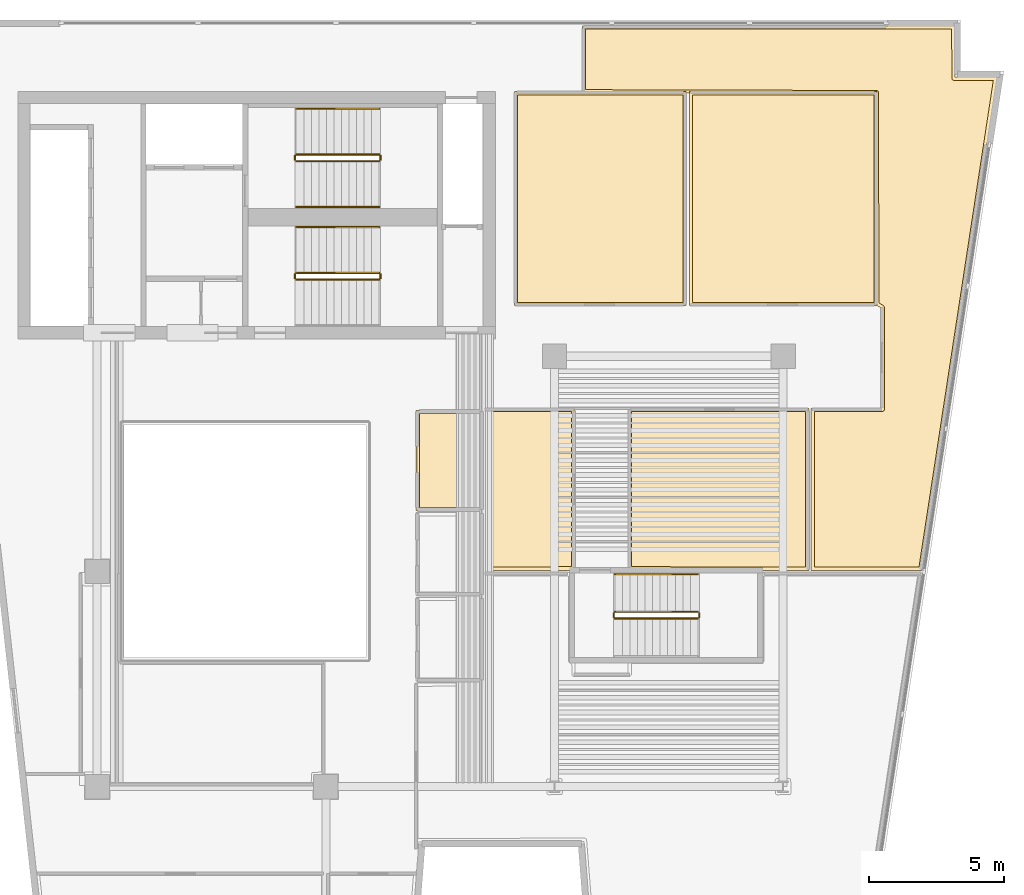
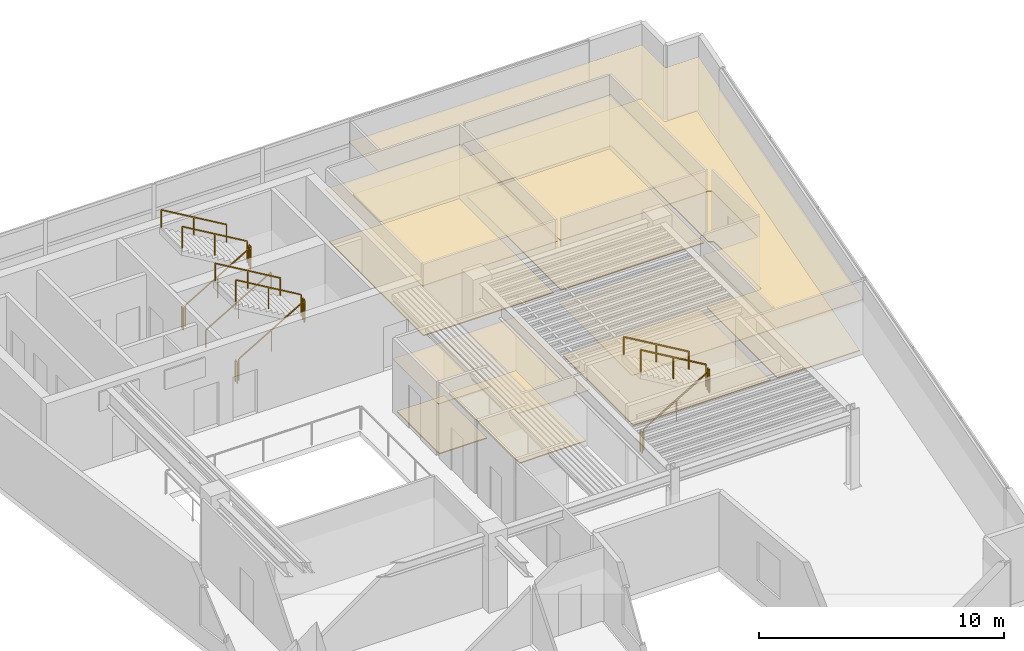
# One storey, part 8 of 8: 16 railings, 12 coverings.
"""IFC4 building model written with IfcOpenShell, lengths in metres."""

from ifc_helpers import new_model, si_unit, direction, frame, origin, origin_2d, place, context, subcontext, project, spatial, polyline, rectangle, outline, extrude, material, layer, layer_set, type_object, element, save


model = new_model("IFC4")

# Units and contexts
model_context = context("Model", 3, precision=1e-05, world=origin(), true_north=direction((0.0, 1.0)))
body_context = subcontext(model_context, "Body", "Model", "MODEL_VIEW")
ifc_project = project(units=[si_unit("LENGTHUNIT", "METRE"), si_unit("AREAUNIT", "SQUARE_METRE"), si_unit("VOLUMEUNIT", "CUBIC_METRE"), si_unit("PLANEANGLEUNIT", "RADIAN"), si_unit("MASSUNIT", "GRAM", prefix="KILO")], contexts=[model_context])

# Site, building, storey
site_placement = place(None, origin())
site = spatial("IfcSite", under=ifc_project, at=site_placement, CompositionType="ELEMENT")
building_placement = place(site_placement, origin())
building = spatial("IfcBuilding", under=site, at=building_placement, Name="Caeloran Harvest Quay", CompositionType="ELEMENT")
storey_placement = place(building_placement, frame((0.0, 0.0, 239.050048828125)))
storey = spatial("IfcBuildingStorey", under=building, at=storey_placement, Name="L57", CompositionType="ELEMENT", Elevation=239.050048828125)

# Coverings
ifc_material_1 = material(Name="Perforated Mineral-Fibre Acoustic Ceiling Tile", Category="ceiling")
ifc_layer_1 = layer(ifc_material_1, 0.0400390625, Name="Perforated Mineral-Fibre Acoustic Ceiling Tile")
ifc_layer_set_1 = layer_set([ifc_layer_1], Name="Perforated Mineral-Fibre Acoustic Ceiling Tile")
covering_type_1 = type_object("IfcCoveringType", Name="COV-CEILING-ACOUSTIC", PredefinedType="CEILING", material=ifc_layer_set_1)
covering_1_placement = place(storey_placement, frame((0.0, 0.0, 2.599853515625)))
element("IfcCovering", 1, at=covering_1_placement, inside=storey, type_object=covering_type_1, Name="L57 Bioinformatics and Crop Phenotyping Laboratory Acoustic Ceiling", PredefinedType="CEILING", context=body_context, shape_type="SweptSolid", body=[
    extrude(outline(polyline([(30.389892578125, 40.840087890625), (30.389892578125, 32.8798828125), (24.010009765625, 32.8798828125), (24.010009765625, 40.840087890625), (30.389892578125, 40.840087890625)])), origin(), (0.0, 0.0, 1.0), 0.0400390625),
])
covering_2_placement = place(storey_placement, frame((0.0, 0.0, 2.599853515625)))
element("IfcCovering", 2, at=covering_2_placement, inside=storey, type_object=covering_type_1, Name="L57 Agri-Genomics Executive Strategy Boardroom Acoustic Ceiling", PredefinedType="CEILING", context=body_context, shape_type="SweptSolid", body=[
    extrude(outline(polyline([(37.489990234375, 40.840087890625), (37.489990234375, 32.8798828125), (30.510009765625, 32.8798828125), (30.510009765625, 40.840087890625), (37.489990234375, 40.840087890625)])), origin(), (0.0, 0.0, 1.0), 0.0400390625),
])
covering_3_placement = place(storey_placement, frame((0.0, 0.0, 2.599853515625)))
element("IfcCovering", 3, at=covering_3_placement, inside=storey, type_object=covering_type_1, Name="L57 Male Washroom WC Acoustic Ceiling", PredefinedType="CEILING", context=body_context, shape_type="SweptSolid", body=[
    extrude(outline(polyline([(22.840087890625, 28.989990234375), (22.840087890625, 25.260009765625), (20.360107421875, 25.260009765625), (20.360107421875, 28.989990234375), (22.840087890625, 28.989990234375)])), origin(), (0.0, 0.0, 1.0), 0.0400390625),
])
covering_4_placement = place(storey_placement, frame((0.0, 0.0, 2.599853515625)))
element("IfcCovering", 4, at=covering_4_placement, inside=storey, type_object=covering_type_1, Name="Terrace View Conference Room Acoustic Ceiling", PredefinedType="CEILING", context=body_context, shape_type="SweptSolid", body=[
    extrude(outline(polyline([(26.13720703125, 23.06005859375), (26.1298828125, 23.0400390625), (22.8701171875, 23.0400390625), (22.8701171875, 29.06005859375), (26.260009765625, 29.06005859375), (26.260009765625, 23.06005859375), (26.13720703125, 23.06005859375)])), origin(), (0.0, 0.0, 1.0), 0.0400390625),
])
covering_5_placement = place(storey_placement, frame((0.0, 0.0, 2.599853515625)))
element("IfcCovering", 5, at=covering_5_placement, inside=storey, type_object=covering_type_1, Name="Studio Pin-Up Lounge Acoustic Ceiling", PredefinedType="CEILING", context=body_context, shape_type="SweptSolid", body=[
    extrude(outline(polyline([(33.162841796875, 23.06005859375), (28.239990234375, 23.06005859375), (28.239990234375, 29.06005859375), (34.9599609375, 29.06005859375), (34.9599609375, 23.0400390625), (33.170166015625, 23.0400390625), (33.162841796875, 23.06005859375)])), origin(), (0.0, 0.0, 1.0), 0.0400390625),
])
covering_6_placement = place(storey_placement, frame((0.0, 0.0, 2.599853515625)))
element("IfcCovering", 6, at=covering_6_placement, inside=storey, type_object=covering_type_1, Name="Sawtooth Terrace Design Studio Office 7 Acoustic Ceiling", PredefinedType="CEILING", context=body_context, shape_type="SweptSolid", body=[
    extrude(outline(polyline([(26.5400390625, 43.280029296875), (40.3798828125, 43.280029296875), (40.3798828125, 41.3798828125), (41.95361328125, 41.3798828125), (39.151611328125, 23.0400390625), (35.0400390625, 23.0400390625), (35.0400390625, 29.06005859375), (37.639892578125, 29.06005859375), (37.639892578125, 32.79931640625), (37.43994140625, 32.909912109375), (37.43994140625, 40.760009765625), (26.5400390625, 40.7900390625), (26.5400390625, 43.280029296875)])), origin(), (0.0, 0.0, 1.0), 0.0400390625),
])
ifc_material_2 = material(Name="Calcium-Sulphate Raised Access Floor and Terrazzo Finish", Category="flooring")
ifc_layer_2 = layer(ifc_material_2, 0.050048828125, Name="Calcium-Sulphate Raised Access Floor and Terrazzo Finish")
ifc_layer_set_2 = layer_set([ifc_layer_2], Name="Calcium-Sulphate Raised Access Floor and Terrazzo Finish")
covering_type_2 = type_object("IfcCoveringType", Name="COV-FLOOR-RAISED", PredefinedType="FLOORING", material=ifc_layer_set_2)
covering_7_placement = place(storey_placement, origin())
element("IfcCovering", 7, at=covering_7_placement, inside=storey, type_object=covering_type_2, Name="L57 Bioinformatics and Crop Phenotyping Laboratory Raised Finish Flooring", PredefinedType="FLOORING", context=body_context, shape_type="SweptSolid", body=[
    extrude(outline(polyline([(30.27001953125, 40.719970703125), (30.27001953125, 33.0), (24.1298828125, 33.0), (24.1298828125, 40.719970703125), (30.27001953125, 40.719970703125)])), origin(), (0.0, 0.0, 1.0), 0.050048828125),
])
covering_8_placement = place(storey_placement, origin())
element("IfcCovering", 8, at=covering_8_placement, inside=storey, type_object=covering_type_2, Name="L57 Agri-Genomics Executive Strategy Boardroom Raised Finish Flooring", PredefinedType="FLOORING", context=body_context, shape_type="SweptSolid", body=[
    extrude(outline(polyline([(37.3701171875, 40.719970703125), (37.3701171875, 33.0), (30.6298828125, 33.0), (30.6298828125, 40.719970703125), (37.3701171875, 40.719970703125)])), origin(), (0.0, 0.0, 1.0), 0.050048828125),
])
covering_9_placement = place(storey_placement, origin())
element("IfcCovering", 9, at=covering_9_placement, inside=storey, type_object=covering_type_2, Name="L57 Male Washroom WC Raised Finish Flooring", PredefinedType="FLOORING", context=body_context, shape_type="SweptSolid", body=[
    extrude(outline(polyline([(22.719970703125, 28.8701171875), (22.719970703125, 25.3798828125), (20.47998046875, 25.3798828125), (20.47998046875, 28.8701171875), (22.719970703125, 28.8701171875)])), origin(), (0.0, 0.0, 1.0), 0.050048828125),
])
covering_10_placement = place(storey_placement, origin())
element("IfcCovering", 10, at=covering_10_placement, inside=storey, type_object=covering_type_2, Name="Terrace View Conference Room Raised Finish Flooring", PredefinedType="FLOORING", context=body_context, shape_type="SweptSolid", body=[
    extrude(outline(polyline([(26.139892578125, 23.179931640625), (22.989990234375, 23.159912109375), (22.989990234375, 28.93994140625), (26.139892578125, 28.93994140625), (26.139892578125, 23.179931640625)])), origin(), (0.0, 0.0, 1.0), 0.050048828125),
])
covering_11_placement = place(storey_placement, origin())
element("IfcCovering", 11, at=covering_11_placement, inside=storey, type_object=covering_type_2, Name="Studio Pin-Up Lounge Raised Finish Flooring", PredefinedType="FLOORING", context=body_context, shape_type="SweptSolid", body=[
    extrude(outline(polyline([(34.840087890625, 23.159912109375), (28.360107421875, 23.179931640625), (28.360107421875, 28.93994140625), (34.840087890625, 28.93994140625), (34.840087890625, 23.159912109375)])), origin(), (0.0, 0.0, 1.0), 0.050048828125),
])
covering_12_placement = place(storey_placement, origin())
element("IfcCovering", 12, at=covering_12_placement, inside=storey, type_object=covering_type_2, Name="Sawtooth Terrace Design Studio Office 7 Raised Finish Flooring", PredefinedType="FLOORING", context=body_context, shape_type="SweptSolid", body=[
    extrude(outline(polyline([(26.659912109375, 43.159912109375), (40.260009765625, 43.159912109375), (40.2783203125, 41.289306640625), (40.340087890625, 41.260009765625), (41.813720703125, 41.260009765625), (39.048583984375, 23.159912109375), (35.159912109375, 23.159912109375), (35.159912109375, 28.93994140625), (37.679931640625, 28.93994140625), (37.736572265625, 28.96337890625), (37.759521484375, 29.01220703125), (37.759521484375, 32.830810546875), (37.72509765625, 32.888916015625), (37.56005859375, 32.980712890625), (37.546630859375, 40.844482421875), (37.480224609375, 40.8798828125), (26.659912109375, 40.909912109375), (26.659912109375, 43.159912109375)])), origin(), (0.0, 0.0, 1.0), 0.050048828125),
])

# Railings
ifc_material_3 = material(Name="Painted Steel Baluster and Top-Rail Stair Guard", Category="steel")
ifc_layer_3 = layer(ifc_material_3, 0.050048828125, Name="Painted Steel Baluster and Top-Rail Stair Guard")
ifc_layer_set_3 = layer_set([ifc_layer_3], Name="Painted Steel Baluster and Top-Rail Stair Guard")
railing_type_1 = type_object("IfcRailingType", Name="STAIR-GUARD-1100", PredefinedType="GUARDRAIL", material=ifc_layer_set_3)
railing_1_placement = place(storey_placement, frame((15.89990234375, 38.25, 0.16455078125)))
element("IfcRailing", 13, at=railing_1_placement, inside=storey, type_object=railing_type_1, Name="L57 ST-C1 stair guard 1", PredefinedType="GUARDRAIL", context=body_context, shape_type="SweptSolid", body=[
    extrude(rectangle(XDim=0.048095703125, YDim=0.048095703125, at=origin_2d()), frame((0.0, 0.0, 1.076171875), z_axis=(0.862118610829, 0.0, 0.506706523406), x_axis=(0.0, 1.0, 0.0)), (0.0, 0.0, 1.0), 3.57275390625),
    extrude(rectangle(XDim=0.0419921875, YDim=0.0419921875, at=origin_2d()), origin(), (0.0, 0.0, 1.0), 1.052001953125),
    extrude(rectangle(XDim=0.0419921875, YDim=0.0419921875, at=origin_2d()), frame((1.5400390625, 0.0, 0.9052734375)), (0.0, 0.0, 1.0), 1.052001953125),
    extrude(rectangle(XDim=0.0419921875, YDim=0.0419921875, at=origin_2d()), frame((3.080078125, 0.0, 1.810302734375)), (0.0, 0.0, 1.0), 1.052001953125),
])
railing_2_placement = place(storey_placement, frame((19.030029296875, 38.300048828125, 1.974853515625)))
element("IfcRailing", 14, at=railing_2_placement, inside=storey, type_object=railing_type_1, Name="L57 ST-C1 stair guard 2", PredefinedType="GUARDRAIL", context=body_context, shape_type="SweptSolid", body=[
    extrude(rectangle(XDim=0.048095703125, YDim=0.048095703125, at=origin_2d()), frame((0.0, 0.0, 1.076171875), z_axis=(0.0, 1.0, 0.0), x_axis=(-1.0, 0.0, 0.0)), (0.0, 0.0, 1.0), 0.14990234375),
    extrude(rectangle(XDim=0.0419921875, YDim=0.0419921875, at=origin_2d()), origin(), (0.0, 0.0, 1.0), 1.052001953125),
    extrude(rectangle(XDim=0.0419921875, YDim=0.0419921875, at=origin_2d()), frame((0.0, 0.14990234375, 0.0)), (0.0, 0.0, 1.0), 1.052001953125),
])
railing_3_placement = place(storey_placement, frame((18.97998046875, 38.5, 2.1396484375)))
element("IfcRailing", 15, at=railing_3_placement, inside=storey, type_object=railing_type_1, Name="L57 ST-C1 stair guard 3", PredefinedType="GUARDRAIL", context=body_context, shape_type="SweptSolid", body=[
    extrude(rectangle(XDim=0.048095703125, YDim=0.048095703125, at=origin_2d()), frame((0.0, 0.0, 1.076171875), z_axis=(-0.862118610829, 0.0, 0.506706523406), x_axis=(0.0, -1.0, 0.0)), (0.0, 0.0, 1.0), 3.57275390625),
    extrude(rectangle(XDim=0.0419921875, YDim=0.0419921875, at=origin_2d()), origin(), (0.0, 0.0, 1.0), 1.052001953125),
    extrude(rectangle(XDim=0.0419921875, YDim=0.0419921875, at=origin_2d()), frame((-1.5400390625, 0.0, 0.9052734375)), (0.0, 0.0, 1.0), 1.052001953125),
    extrude(rectangle(XDim=0.0419921875, YDim=0.0419921875, at=origin_2d()), frame((-3.080078125, 0.0, 1.810302734375)), (0.0, 0.0, 1.0), 1.052001953125),
])
railing_4_placement = place(storey_placement, frame((15.85009765625, 38.300048828125, 0.0)))
element("IfcRailing", 16, at=railing_4_placement, inside=storey, type_object=railing_type_1, Name="L57 ST-C1 stair guard 4", PredefinedType="GUARDRAIL", context=body_context, shape_type="SweptSolid", body=[
    extrude(rectangle(XDim=0.048095703125, YDim=0.048095703125, at=origin_2d()), frame((0.0, 0.0, 1.076171875), z_axis=(0.0, 1.0, 0.0), x_axis=(-1.0, 0.0, 0.0)), (0.0, 0.0, 1.0), 0.14990234375),
    extrude(rectangle(XDim=0.0419921875, YDim=0.0419921875, at=origin_2d()), origin(), (0.0, 0.0, 1.0), 1.052001953125),
    extrude(rectangle(XDim=0.0419921875, YDim=0.0419921875, at=origin_2d()), frame((0.0, 0.14990234375, 0.0)), (0.0, 0.0, 1.0), 1.052001953125),
])
railing_5_placement = place(storey_placement, frame((15.89990234375, 33.85009765625, 0.16455078125)))
element("IfcRailing", 17, at=railing_5_placement, inside=storey, type_object=railing_type_1, Name="L57 ST-C2 stair guard 1", PredefinedType="GUARDRAIL", context=body_context, shape_type="SweptSolid", body=[
    extrude(rectangle(XDim=0.048095703125, YDim=0.048095703125, at=origin_2d()), frame((0.0, 0.0, 1.076171875), z_axis=(0.862118610829, 0.0, 0.506706523406), x_axis=(0.0, 1.0, 0.0)), (0.0, 0.0, 1.0), 3.57275390625),
    extrude(rectangle(XDim=0.0419921875, YDim=0.0419921875, at=origin_2d()), origin(), (0.0, 0.0, 1.0), 1.052001953125),
    extrude(rectangle(XDim=0.0419921875, YDim=0.0419921875, at=origin_2d()), frame((1.5400390625, 0.0, 0.9052734375)), (0.0, 0.0, 1.0), 1.052001953125),
    extrude(rectangle(XDim=0.0419921875, YDim=0.0419921875, at=origin_2d()), frame((3.080078125, 0.0, 1.810302734375)), (0.0, 0.0, 1.0), 1.052001953125),
])
railing_6_placement = place(storey_placement, frame((19.030029296875, 33.89990234375, 1.974853515625)))
element("IfcRailing", 18, at=railing_6_placement, inside=storey, type_object=railing_type_1, Name="L57 ST-C2 stair guard 2", PredefinedType="GUARDRAIL", context=body_context, shape_type="SweptSolid", body=[
    extrude(rectangle(XDim=0.048095703125, YDim=0.048095703125, at=origin_2d()), frame((0.0, 0.0, 1.076171875), z_axis=(0.0, 1.0, 0.0), x_axis=(-1.0, 0.0, 0.0)), (0.0, 0.0, 1.0), 0.150146484375),
    extrude(rectangle(XDim=0.0419921875, YDim=0.0419921875, at=origin_2d()), origin(), (0.0, 0.0, 1.0), 1.052001953125),
    extrude(rectangle(XDim=0.0419921875, YDim=0.0419921875, at=origin_2d()), frame((0.0, 0.150146484375, 0.0)), (0.0, 0.0, 1.0), 1.052001953125),
])
railing_7_placement = place(storey_placement, frame((18.97998046875, 34.10009765625, 2.1396484375)))
element("IfcRailing", 19, at=railing_7_placement, inside=storey, type_object=railing_type_1, Name="L57 ST-C2 stair guard 3", PredefinedType="GUARDRAIL", context=body_context, shape_type="SweptSolid", body=[
    extrude(rectangle(XDim=0.048095703125, YDim=0.048095703125, at=origin_2d()), frame((0.0, 0.0, 1.076171875), z_axis=(-0.862118610829, 0.0, 0.506706523406), x_axis=(0.0, -1.0, 0.0)), (0.0, 0.0, 1.0), 3.57275390625),
    extrude(rectangle(XDim=0.0419921875, YDim=0.0419921875, at=origin_2d()), origin(), (0.0, 0.0, 1.0), 1.052001953125),
    extrude(rectangle(XDim=0.0419921875, YDim=0.0419921875, at=origin_2d()), frame((-1.5400390625, 0.0, 0.9052734375)), (0.0, 0.0, 1.0), 1.052001953125),
    extrude(rectangle(XDim=0.0419921875, YDim=0.0419921875, at=origin_2d()), frame((-3.080078125, 0.0, 1.810302734375)), (0.0, 0.0, 1.0), 1.052001953125),
])
railing_8_placement = place(storey_placement, frame((15.85009765625, 33.89990234375, 0.0)))
element("IfcRailing", 20, at=railing_8_placement, inside=storey, type_object=railing_type_1, Name="L57 ST-C2 stair guard 4", PredefinedType="GUARDRAIL", context=body_context, shape_type="SweptSolid", body=[
    extrude(rectangle(XDim=0.048095703125, YDim=0.048095703125, at=origin_2d()), frame((0.0, 0.0, 1.076171875), z_axis=(0.0, 1.0, 0.0), x_axis=(-1.0, 0.0, 0.0)), (0.0, 0.0, 1.0), 0.150146484375),
    extrude(rectangle(XDim=0.0419921875, YDim=0.0419921875, at=origin_2d()), origin(), (0.0, 0.0, 1.0), 1.052001953125),
    extrude(rectangle(XDim=0.0419921875, YDim=0.0419921875, at=origin_2d()), frame((0.0, 0.150146484375, 0.0)), (0.0, 0.0, 1.0), 1.052001953125),
])
railing_9_placement = place(storey_placement, frame((27.75, 21.25, 0.16455078125)))
element("IfcRailing", 21, at=railing_9_placement, inside=storey, type_object=railing_type_1, Name="L57 ST-W1 stair guard 1", PredefinedType="GUARDRAIL", context=body_context, shape_type="SweptSolid", body=[
    extrude(rectangle(XDim=0.048095703125, YDim=0.048095703125, at=origin_2d()), frame((0.0, 0.0, 1.076171875), z_axis=(0.862118610829, 0.0, 0.506706523406), x_axis=(0.0, 1.0, 0.0)), (0.0, 0.0, 1.0), 3.57275390625),
    extrude(rectangle(XDim=0.0419921875, YDim=0.0419921875, at=origin_2d()), origin(), (0.0, 0.0, 1.0), 1.052001953125),
    extrude(rectangle(XDim=0.0419921875, YDim=0.0419921875, at=origin_2d()), frame((1.5400390625, 0.0, 0.9052734375)), (0.0, 0.0, 1.0), 1.052001953125),
    extrude(rectangle(XDim=0.0419921875, YDim=0.0419921875, at=origin_2d()), frame((3.080078125, 0.0, 1.810302734375)), (0.0, 0.0, 1.0), 1.052001953125),
])
railing_10_placement = place(storey_placement, frame((30.8798828125, 21.300048828125, 1.974853515625)))
element("IfcRailing", 22, at=railing_10_placement, inside=storey, type_object=railing_type_1, Name="L57 ST-W1 stair guard 2", PredefinedType="GUARDRAIL", context=body_context, shape_type="SweptSolid", body=[
    extrude(rectangle(XDim=0.048095703125, YDim=0.048095703125, at=origin_2d()), frame((0.0, 0.0, 1.076171875), z_axis=(0.0, 1.0, 0.0), x_axis=(-1.0, 0.0, 0.0)), (0.0, 0.0, 1.0), 0.14990234375),
    extrude(rectangle(XDim=0.0419921875, YDim=0.0419921875, at=origin_2d()), origin(), (0.0, 0.0, 1.0), 1.052001953125),
    extrude(rectangle(XDim=0.0419921875, YDim=0.0419921875, at=origin_2d()), frame((0.0, 0.14990234375, 0.0)), (0.0, 0.0, 1.0), 1.052001953125),
])
railing_11_placement = place(storey_placement, frame((30.830078125, 21.5, 2.1396484375)))
element("IfcRailing", 23, at=railing_11_placement, inside=storey, type_object=railing_type_1, Name="L57 ST-W1 stair guard 3", PredefinedType="GUARDRAIL", context=body_context, shape_type="SweptSolid", body=[
    extrude(rectangle(XDim=0.048095703125, YDim=0.048095703125, at=origin_2d()), frame((0.0, 0.0, 1.076171875), z_axis=(-0.862118610829, 0.0, 0.506706523406), x_axis=(0.0, -1.0, 0.0)), (0.0, 0.0, 1.0), 3.57275390625),
    extrude(rectangle(XDim=0.0419921875, YDim=0.0419921875, at=origin_2d()), origin(), (0.0, 0.0, 1.0), 1.052001953125),
    extrude(rectangle(XDim=0.0419921875, YDim=0.0419921875, at=origin_2d()), frame((-1.5400390625, 0.0, 0.9052734375)), (0.0, 0.0, 1.0), 1.052001953125),
    extrude(rectangle(XDim=0.0419921875, YDim=0.0419921875, at=origin_2d()), frame((-3.080078125, 0.0, 1.810302734375)), (0.0, 0.0, 1.0), 1.052001953125),
])
railing_12_placement = place(storey_placement, frame((27.699951171875, 21.300048828125, 0.0)))
element("IfcRailing", 24, at=railing_12_placement, inside=storey, type_object=railing_type_1, Name="L57 ST-W1 stair guard 4", PredefinedType="GUARDRAIL", context=body_context, shape_type="SweptSolid", body=[
    extrude(rectangle(XDim=0.048095703125, YDim=0.048095703125, at=origin_2d()), frame((0.0, 0.0, 1.076171875), z_axis=(0.0, 1.0, 0.0), x_axis=(-1.0, 0.0, 0.0)), (0.0, 0.0, 1.0), 0.14990234375),
    extrude(rectangle(XDim=0.0419921875, YDim=0.0419921875, at=origin_2d()), origin(), (0.0, 0.0, 1.0), 1.052001953125),
    extrude(rectangle(XDim=0.0419921875, YDim=0.0419921875, at=origin_2d()), frame((0.0, 0.14990234375, 0.0)), (0.0, 0.0, 1.0), 1.052001953125),
])
ifc_material_4 = material(Name="Brushed Stainless Steel Grade 304", Category="steel")
ifc_layer_4 = layer(ifc_material_4, 0.050048828125, Name="Brushed Stainless Steel Grade 304")
ifc_layer_set_4 = layer_set([ifc_layer_4], Name="Brushed Stainless Steel Grade 304")
railing_type_2 = type_object("IfcRailingType", Name="STAIR-HANDRAIL-900", PredefinedType="HANDRAIL", material=ifc_layer_set_4)
railing_13_placement = place(storey_placement, frame((15.89990234375, 36.550048828125, 0.16455078125)))
element("IfcRailing", 25, at=railing_13_placement, inside=storey, type_object=railing_type_2, Name="L57 ST-C1 stair handrail 1", PredefinedType="HANDRAIL", context=body_context, shape_type="SweptSolid", body=[
    extrude(rectangle(XDim=0.048095703125, YDim=0.048095703125, at=origin_2d()), frame((0.0, 0.0, 0.8759765625), z_axis=(0.862118610829, 0.0, 0.506706523406), x_axis=(0.0, 1.0, 0.0)), (0.0, 0.0, 1.0), 3.57275390625),
    extrude(rectangle(XDim=0.0419921875, YDim=0.0419921875, at=origin_2d()), origin(), (0.0, 0.0, 1.0), 0.851806640625),
    extrude(rectangle(XDim=0.0419921875, YDim=0.0419921875, at=origin_2d()), frame((1.5400390625, 0.0, 0.9052734375)), (0.0, 0.0, 1.0), 0.851806640625),
    extrude(rectangle(XDim=0.0419921875, YDim=0.0419921875, at=origin_2d()), frame((3.080078125, 0.0, 1.810302734375)), (0.0, 0.0, 1.0), 0.851806640625),
])
for number, where, name in (
    (26, (18.97998046875, 40.199951171875, 2.1396484375), "L57 ST-C1 stair handrail 2"),
    (27, (18.97998046875, 35.800048828125, 2.1396484375), "L57 ST-C2 stair handrail 2"),
    (28, (30.830078125, 22.89990234375, 2.1396484375), "L57 ST-W1 stair handrail 2"),
):
    element("IfcRailing", number, at=place(storey_placement, frame(where)), inside=storey, type_object=railing_type_2, Name=name, PredefinedType="HANDRAIL", context=body_context, shape_type="SweptSolid", body=[
        extrude(rectangle(XDim=0.048095703125, YDim=0.048095703125, at=origin_2d()), frame((0.0, 0.0, 0.8759765625), z_axis=(-0.862118610829, 0.0, 0.506706523406), x_axis=(0.0, -1.0, 0.0)), (0.0, 0.0, 1.0), 3.57275390625),
        extrude(rectangle(XDim=0.0419921875, YDim=0.0419921875, at=origin_2d()), origin(), (0.0, 0.0, 1.0), 0.851806640625),
        extrude(rectangle(XDim=0.0419921875, YDim=0.0419921875, at=origin_2d()), frame((-1.5400390625, 0.0, 0.9052734375)), (0.0, 0.0, 1.0), 0.851806640625),
        extrude(rectangle(XDim=0.0419921875, YDim=0.0419921875, at=origin_2d()), frame((-3.080078125, 0.0, 1.810302734375)), (0.0, 0.0, 1.0), 0.851806640625),
    ])

save(model, "model.ifc")
